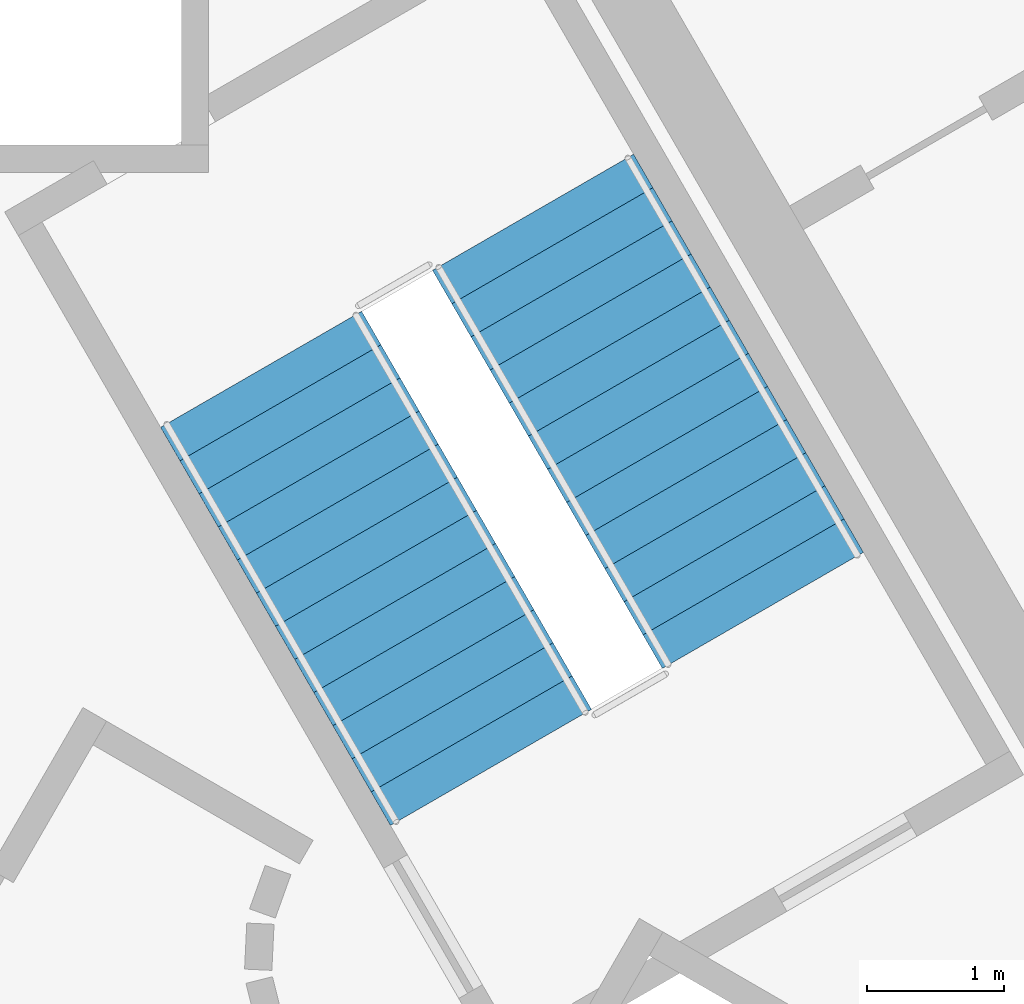
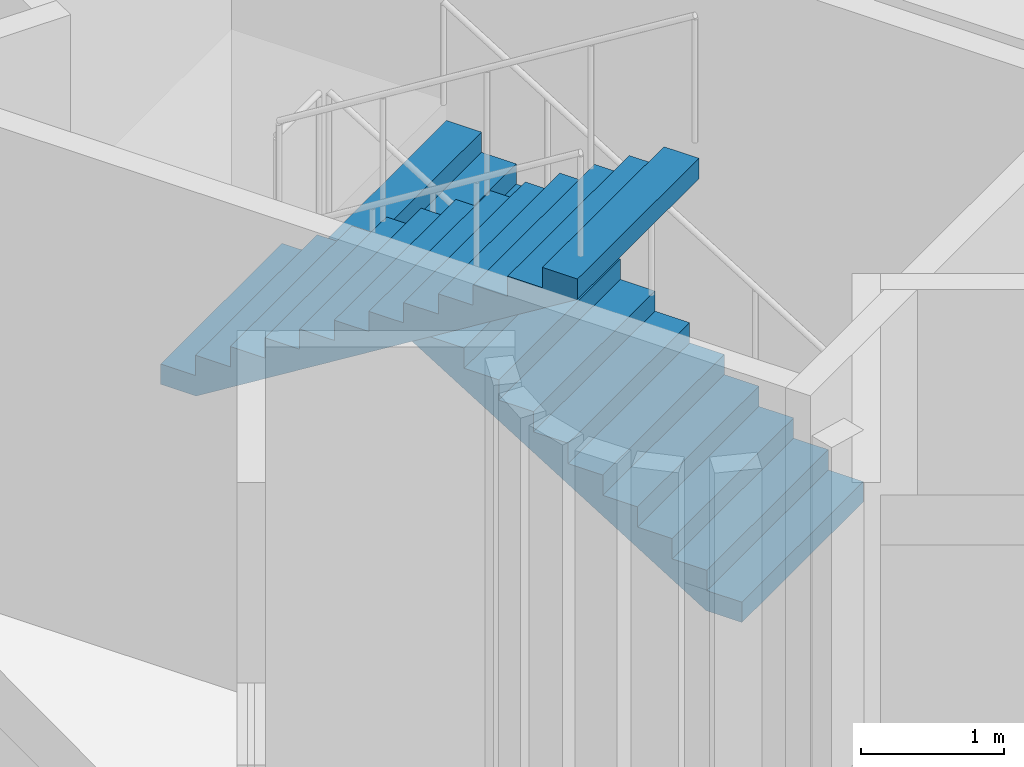
# One storey, part 6 of 7: 2 stair flights, 1 element without a shape of its own.
"""IFC4 building model written with IfcOpenShell, lengths in metres."""

import ifcopenshell
import ifcopenshell.guid

model = None  # the IFC model being written
_history = None  # IfcOwnerHistory: only IFC2X3 demands one
_inside = {}  # id of a spatial element -> (the spatial element, [elements in it])
_under = {}  # id of a project, library or spatial element -> (it, [spatial elements below it])
_declared = {}  # id of a project -> (the project, [libraries it declares])
_typed = {}  # id of a type object -> (the type object, [elements of that type])
_made_of = {}  # id of a material, layer set ... -> (it, [elements and type objects made of it])


def new_model(schema):
    """Start an empty IFC model of exactly this schema.

    Asked for "IFC4X3", IfcOpenShell would pick the latest addendum, in which some entities
    have other attributes; the version numbers below select the first issue.
    IFC2X3 requires an IfcOwnerHistory on every rooted entity: one is made here for all.
    """
    global model, _history
    if schema == "IFC4X3":
        model = ifcopenshell.file(schema_version=(4, 3, 0, 0))
    else:
        model = ifcopenshell.file(schema=schema)
    _inside.clear()
    _under.clear()
    _declared.clear()
    _typed.clear()
    _made_of.clear()
    _history = None
    if model.schema == "IFC2X3":
        org = make("IfcOrganization", Name="unknown")
        user = make(
            "IfcPersonAndOrganization",
            ThePerson=make("IfcPerson", FamilyName="unknown"),
            TheOrganization=org,
        )
        app = make(
            "IfcApplication",
            ApplicationDeveloper=org,
            Version="unknown",
            ApplicationFullName="unknown",
            ApplicationIdentifier="unknown",
        )
        _history = make(
            "IfcOwnerHistory",
            OwningUser=user,
            OwningApplication=app,
            ChangeAction="ADDED",
            CreationDate=0,
        )
    return model


def make(cls, **values):
    """One entity of the class cls with the attributes given. An attribute that is None is left unset."""
    return model.create_entity(
        cls, **{name: value for name, value in values.items() if value is not None}
    )


def rooted(cls, **values):
    """An entity with a GlobalId (a new one), such as an element, a storey or a relation."""
    return make(cls, GlobalId=ifcopenshell.guid.new(), OwnerHistory=_history, **values)


def si_unit(unit_type, name, prefix=None):
    """IfcSIUnit, for example si_unit("LENGTHUNIT", "METRE", prefix="MILLI")."""
    return make("IfcSIUnit", UnitType=unit_type, Prefix=prefix, Name=name)


def assignment(units):
    """IfcUnitAssignment: the units of a project."""
    return None if units is None else make("IfcUnitAssignment", Units=units)


def point(xyz):
    """IfcCartesianPoint."""
    return None if xyz is None else make("IfcCartesianPoint", Coordinates=xyz)


def direction(xyz):
    """IfcDirection."""
    return None if xyz is None else make("IfcDirection", DirectionRatios=xyz)


def frame(location, z_axis=None, x_axis=None):
    """IfcAxis2Placement3D, a coordinate frame: its origin and axes. An axis left out is left unset."""
    return make(
        "IfcAxis2Placement3D",
        Location=point(location),
        Axis=direction(z_axis),
        RefDirection=direction(x_axis),
    )


def origin():
    """The frame at (0, 0, 0) with its axes left unset."""
    return frame((0.0, 0.0, 0.0))


def place(relative_to, where):
    """IfcLocalPlacement: puts the frame where relative to a parent placement (None: the world)."""
    return make(
        "IfcLocalPlacement", PlacementRelTo=relative_to, RelativePlacement=where
    )


def context(
    kind, dimensions, precision=None, world=None, true_north=None, identifier=None
):
    """IfcGeometricRepresentationContext, for example the 3D "Model" context."""
    return make(
        "IfcGeometricRepresentationContext",
        ContextIdentifier=identifier,
        ContextType=kind,
        CoordinateSpaceDimension=dimensions,
        Precision=precision,
        WorldCoordinateSystem=world,
        TrueNorth=true_north,
    )


def subcontext(parent, identifier, kind, view, scale=None):
    """IfcGeometricRepresentationSubContext, for example "Body" below "Model"."""
    return make(
        "IfcGeometricRepresentationSubContext",
        ContextIdentifier=identifier,
        ContextType=kind,
        ParentContext=parent,
        TargetScale=scale,
        TargetView=view,
    )


def project(units=None, contexts=None):
    """IfcProject with its units and contexts."""
    return rooted(
        "IfcProject",
        Name="project",
        RepresentationContexts=contexts,
        UnitsInContext=assignment(units),
    )


def spatial(cls, under=None, at=None, **own):
    """A site, building, storey or space (cls), placed at a placement, below another one or the project."""
    s = rooted(cls, ObjectPlacement=at, **own)
    if under is not None:
        _under.setdefault(under.id(), (under, []))[1].append(s)
    return s


def polyline(points):
    """IfcPolyline through the points."""
    return make("IfcPolyline", Points=[point(p) for p in points])


def outline(outer, holes=None, kind="AREA"):
    """IfcArbitraryClosedProfileDef: a profile drawn as a closed curve; with holes, ...WithVoids."""
    if holes is None:
        return make("IfcArbitraryClosedProfileDef", ProfileType=kind, OuterCurve=outer)
    return make(
        "IfcArbitraryProfileDefWithVoids",
        ProfileType=kind,
        OuterCurve=outer,
        InnerCurves=holes,
    )


def extrude(swept, where, along, depth):
    """IfcExtrudedAreaSolid: the profile swept, set in the frame where, extruded along a direction by depth."""
    return make(
        "IfcExtrudedAreaSolid",
        SweptArea=swept,
        Position=where,
        ExtrudedDirection=direction(along),
        Depth=depth,
    )


def shape(context_of_items, identifier, shape_type, items):
    """IfcShapeRepresentation: the items that make up one representation, for example the "Body"."""
    return make(
        "IfcShapeRepresentation",
        ContextOfItems=context_of_items,
        RepresentationIdentifier=identifier,
        RepresentationType=shape_type,
        Items=items,
    )


def material(Name=None, Category=None):
    """IfcMaterial."""
    return make("IfcMaterial", Name=Name, Category=Category)


def made_of(thing, what):
    """Note that an element or type object is made of a material, layer set ...; save() writes the relation."""
    if what is not None:
        _made_of.setdefault(what.id(), (what, []))[1].append(thing)
    return thing


def type_object(cls, material=None, **own):
    """A type object (cls), such as IfcWallType, which elements share."""
    return made_of(rooted(cls, **own), material)


def element(
    cls,
    number,
    at=None,
    inside=None,
    cuts=None,
    type_object=None,
    material=None,
    context=None,
    identifier="Body",
    shape_type=None,
    held_by="IfcProductDefinitionShape",
    body=None,
    shapes=None,
    **own,
):
    """One element of the class cls, such as IfcWall. Its Tag is "e" and its number.

    at: its placement. inside: the storey or other place that contains it. cuts: it is an
    opening in that element (IfcRelVoidsElement). A single representation is given by context,
    identifier, shape_type and body (its items); several are given by shapes. held_by: the class
    of the entity that holds the representations. save() writes the other relations.
    """
    e = rooted(cls, Tag="e%d" % number, ObjectPlacement=at, **own)
    if body is not None:
        shapes = [shape(context, identifier, shape_type, body)]
    if shapes is not None:
        e.Representation = make(held_by, Representations=shapes)
    if inside is not None:
        _inside.setdefault(inside.id(), (inside, []))[1].append(e)
    if cuts is not None:
        rooted(
            "IfcRelVoidsElement", RelatingBuildingElement=cuts, RelatedOpeningElement=e
        )
    if type_object is not None:
        _typed.setdefault(type_object.id(), (type_object, []))[1].append(e)
    return made_of(e, material)


def aggregate(whole, parts):
    """IfcRelAggregates: a whole, such as a stair, and the parts it consists of."""
    return rooted("IfcRelAggregates", RelatingObject=whole, RelatedObjects=parts)


def save(model, path):
    """Write the relations noted so far, then the file.

    IfcRelAggregates (storeys below a building ...), IfcRelContainedInSpatialStructure (elements
    in a storey), IfcRelDefinesByType, IfcRelAssociatesMaterial and IfcRelDeclares: one each for
    every whole, place, type object, material and project.
    """
    for whole, parts in _under.values():
        aggregate(whole, parts)
    for where, things in _inside.values():
        rooted(
            "IfcRelContainedInSpatialStructure",
            RelatedElements=things,
            RelatingStructure=where,
        )
    for kind, things in _typed.values():
        rooted("IfcRelDefinesByType", RelatedObjects=things, RelatingType=kind)
    for what, things in _made_of.values():
        rooted("IfcRelAssociatesMaterial", RelatedObjects=things, RelatingMaterial=what)
    for by, libraries in _declared.values():
        rooted("IfcRelDeclares", RelatingContext=by, RelatedDefinitions=libraries)
    model.write(path)


model = new_model("IFC4")

# Units and contexts
model_context = context("Model", 3, precision=1e-05, world=origin(), true_north=direction((0.0, 1.0)))
body_context = subcontext(model_context, "Body", "Model", "MODEL_VIEW")
ifc_project = project(units=[si_unit("LENGTHUNIT", "METRE"), si_unit("AREAUNIT", "SQUARE_METRE"), si_unit("VOLUMEUNIT", "CUBIC_METRE"), si_unit("PLANEANGLEUNIT", "RADIAN"), si_unit("MASSUNIT", "GRAM", prefix="KILO")], contexts=[model_context])

# Site, building, storey
site_placement = place(None, origin())
site = spatial("IfcSite", under=ifc_project, at=site_placement, CompositionType="ELEMENT")
building_placement = place(site_placement, origin())
building = spatial("IfcBuilding", under=site, at=building_placement, Name="Entoto Arch Interchange Tower", CompositionType="ELEMENT")
storey_placement = place(building_placement, frame((0.0, 0.0, 349.39990234375)))
storey = spatial("IfcBuildingStorey", under=building, at=storey_placement, Name="L82", CompositionType="ELEMENT", Elevation=349.39990234375)

# Stair, stair flights
ifc_material = material(Name="Concrete C40/50", Category="concrete")
stair_type = type_object("IfcStairType", Name="EXIT STAIR RC 1700", PredefinedType="HALF_TURN_STAIR", material=ifc_material)
stair_placement = place(storey_placement, origin())
stair = element("IfcStair", 1, at=stair_placement, inside=storey, type_object=stair_type, Name="L82 Exit stair NE", PredefinedType="HALF_TURN_STAIR")
stair_flight_type = type_object("IfcStairFlightType", Name="EXIT STAIR FLIGHT RC 1700", PredefinedType="STRAIGHT", material=ifc_material)
stair_flight_1_placement = place(storey_placement, frame((6.75732421875, 4.49609375, 0.0), z_axis=(0.0, 0.0, 1.0), x_axis=(-0.5, 0.866025403784, 0.0)))
stair_flight_1 = element("IfcStairFlight", 2, at=stair_flight_1_placement, type_object=stair_flight_type, Name="ST-NE flight 1", NumberOfRisers=13, NumberOfTreads=12, PredefinedType="STRAIGHT", RiserHeight=0.173076923, TreadLength=0.28, context=body_context, shape_type="SweptSolid", body=[
    extrude(outline(polyline([(-0.0029296875, 0.0), (-0.0029296875, 0.173095703125), (0.280029296875, 0.173095703125), (0.280029296875, 0.34619140625), (0.56005859375, 0.34619140625), (0.56005859375, 0.519287109375), (0.840087890625, 0.519287109375), (0.840087890625, 0.6923828125), (1.1201171875, 0.6923828125), (1.1201171875, 0.865478515625), (1.39990234375, 0.865478515625), (1.39990234375, 1.03857421875), (1.679931640625, 1.03857421875), (1.679931640625, 1.21142578125), (1.9599609375, 1.21142578125), (1.9599609375, 1.384521484375), (2.239990234375, 1.384521484375), (2.239990234375, 1.5576171875), (2.52001953125, 1.5576171875), (2.52001953125, 1.730712890625), (2.800048828125, 1.730712890625), (2.800048828125, 1.90380859375), (3.080078125, 1.90380859375), (3.080078125, 2.076904296875), (3.360107421875, 2.076904296875), (3.363037109375, 2.076904296875), (3.363037109375, 1.902587890625), (0.28515625, 0.0), (-0.0029296875, 0.0)])), frame((0.0, 0.85009765625, 0.0), z_axis=(0.0, -1.0, 0.0), x_axis=(1.0, 0.0, 0.0)), (0.0, 0.0, 1.0), 1.699951171875),
])
stair_flight_2_placement = place(storey_placement, frame((3.08544921875, 6.255859375, 2.25), z_axis=(0.0, 0.0, 1.0), x_axis=(0.5, -0.866025403784, 0.0)))
stair_flight_2 = element("IfcStairFlight", 3, at=stair_flight_2_placement, type_object=stair_flight_type, Name="ST-NE flight 2", NumberOfRisers=13, NumberOfTreads=12, PredefinedType="STRAIGHT", RiserHeight=0.173076923, TreadLength=0.28, context=body_context, shape_type="SweptSolid", body=[
    extrude(outline(polyline([(-0.0029296875, 0.0), (-0.0029296875, 0.173095703125), (0.280029296875, 0.173095703125), (0.280029296875, 0.34619140625), (0.56005859375, 0.34619140625), (0.56005859375, 0.519287109375), (0.840087890625, 0.519287109375), (0.840087890625, 0.6923828125), (1.1201171875, 0.6923828125), (1.1201171875, 0.865478515625), (1.39990234375, 0.865478515625), (1.39990234375, 1.03857421875), (1.679931640625, 1.03857421875), (1.679931640625, 1.21142578125), (1.9599609375, 1.21142578125), (1.9599609375, 1.384521484375), (2.239990234375, 1.384521484375), (2.239990234375, 1.5576171875), (2.52001953125, 1.5576171875), (2.52001953125, 1.730712890625), (2.800048828125, 1.730712890625), (2.800048828125, 1.90380859375), (3.080078125, 1.90380859375), (3.080078125, 2.076904296875), (3.360107421875, 2.076904296875), (3.363037109375, 2.076904296875), (3.363037109375, 1.902587890625), (0.28515625, 0.0), (-0.0029296875, 0.0)])), frame((0.0, 0.85009765625, 0.0), z_axis=(0.0, -1.0, 0.0), x_axis=(1.0, 0.0, 0.0)), (0.0, 0.0, 1.0), 1.699951171875),
])
aggregate(stair, [stair_flight_1, stair_flight_2])

save(model, "model.ifc")
